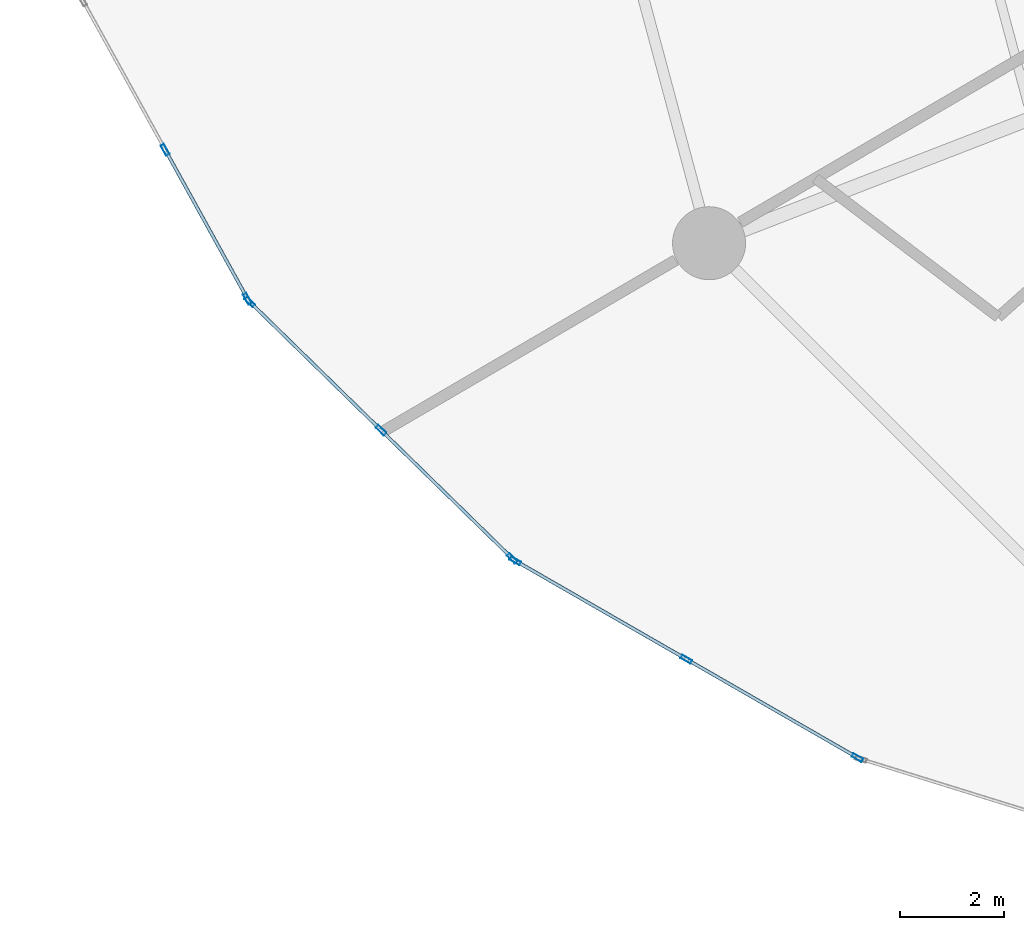
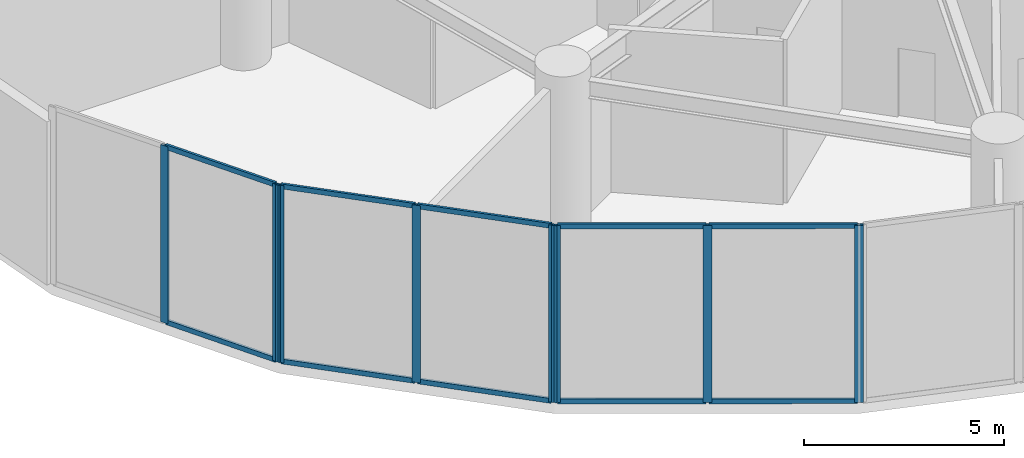
# One storey, part 4 of 29: 18 members, 3 elements without a shape of their own.
"""IFC4 building model written with IfcOpenShell, lengths in metres."""

from ifc_helpers import new_model, si_unit, direction, frame, origin, origin_2d, place, context, subcontext, project, spatial, hollow_rectangle, extrude, source, transform, mapped, material, layer, layer_set, material_profile, profile_set, type_object, element, aggregate, save


model = new_model("IFC4")

# Units and contexts
model_context = context("Model", 3, precision=1e-05, world=origin(), true_north=direction((0.0, 1.0)))
body_context = subcontext(model_context, "Body", "Model", "MODEL_VIEW")
ifc_project = project(units=[si_unit("LENGTHUNIT", "METRE"), si_unit("AREAUNIT", "SQUARE_METRE"), si_unit("VOLUMEUNIT", "CUBIC_METRE"), si_unit("PLANEANGLEUNIT", "RADIAN"), si_unit("MASSUNIT", "GRAM", prefix="KILO")], contexts=[model_context])

# Site, building, storey
site_placement = place(None, origin())
site = spatial("IfcSite", under=ifc_project, at=site_placement, CompositionType="ELEMENT")
building_placement = place(site_placement, origin())
building = spatial("IfcBuilding", under=site, at=building_placement, Name="Solvirekh Grand Hotel", CompositionType="ELEMENT")
storey_placement = place(building_placement, frame((0.0, 0.0, 7.199951171875)))
storey = spatial("IfcBuildingStorey", under=building, at=storey_placement, Name="L01", CompositionType="ELEMENT", Elevation=7.199951171875)

# Curtain wall, members
ifc_material = material(Name="Anodized Bronze Aluminium 6063-T6", Category="aluminium")
ifc_layer = layer(ifc_material, 0.219970703125)
ifc_layer_set = layer_set([ifc_layer], Name="Anodized Bronze Aluminium 6063-T6")
curtain_wall_type = type_object("IfcCurtainWallType", Name="CW_Sys1_PodiumBronzeUnitised", PredefinedType="NOTDEFINED", material=ifc_layer_set)
curtain_wall_1_placement = place(storey_placement, origin())
curtain_wall_1 = element("IfcCurtainWall", 1, at=curtain_wall_1_placement, inside=storey, type_object=curtain_wall_type, Name="L01 unitised bronze-glass curtain wall CW-L01-C14", PredefinedType="NOTDEFINED")
ifc_material_profile_1 = material_profile(ifc_material, hollow_rectangle(XDim=0.074951171875, YDim=0.219970703125, WallThickness=0.006103515625, at=origin_2d()), Name="ALU RHS 220X75X6")
ifc_profile_set_1 = profile_set([ifc_material_profile_1], Name="Anodized Bronze Aluminium 6063-T6")
member_type_1 = type_object("IfcMemberType", Name="CWMullion_Sys1", PredefinedType="MULLION", material=ifc_profile_set_1)
shared_shape_1 = source(origin(), body_context, "Body", "SweptSolid", [
    extrude(hollow_rectangle(XDim=0.074951171875, YDim=0.219970703125, WallThickness=0.006103515625, at=origin_2d()), origin(), (0.0, 0.0, 1.0), 5.400146484375),
])
member_1_placement = place(storey_placement, frame((-29.3115234375, -9.10595703125, 0.0), z_axis=(0.0, 0.0, 1.0), x_axis=(0.875345975229, 0.48349707719, 0.0)))
member_1 = element("IfcMember", 2, at=member_1_placement, type_object=member_type_1, Name="U01 mullion 2", PredefinedType="MULLION", context=body_context, shape_type="MappedRepresentation", body=[
    mapped(shared_shape_1, transform((0.0, 0.0, 0.0), x_axis=(1.0, 0.0, 0.0), y_axis=(0.0, 1.0, 0.0), z_axis=(0.0, 0.0, 1.0), scale=1.0)),
])
member_2_placement = place(storey_placement, frame((-27.731201171875, -11.96728515625, 0.0), z_axis=(0.0, 0.0, 1.0), x_axis=(0.875345975229, 0.48349707719, 0.0)))
member_2 = element("IfcMember", 3, at=member_2_placement, type_object=member_type_1, Name="U01 mullion 3", PredefinedType="MULLION", context=body_context, shape_type="MappedRepresentation", body=[
    mapped(shared_shape_1, transform((0.0, 0.0, 0.0), x_axis=(1.0, 0.0, 0.0), y_axis=(0.0, 1.0, 0.0), z_axis=(0.0, 0.0, 1.0), scale=1.0)),
])

curtain_wall_2_placement = place(storey_placement, origin())
curtain_wall_2 = element("IfcCurtainWall", 4, at=curtain_wall_2_placement, inside=storey, type_object=curtain_wall_type, Name="L01 unitised bronze-glass curtain wall CW-L01-C15", PredefinedType="NOTDEFINED")
member_3_placement = place(storey_placement, frame((-27.686279296875, -12.026123046875, 0.0), z_axis=(0.0, 0.0, 1.0), x_axis=(0.698975445529, 0.715145668062, 0.0)))
member_3 = element("IfcMember", 5, at=member_3_placement, type_object=member_type_1, Name="U01 mullion 1", PredefinedType="MULLION", context=body_context, shape_type="MappedRepresentation", body=[
    mapped(shared_shape_1, transform((0.0, 0.0, 0.0), x_axis=(1.0, 0.0, 0.0), y_axis=(0.0, 1.0, 0.0), z_axis=(0.0, 0.0, 1.0), scale=1.0)),
])
member_4_placement = place(storey_placement, frame((-25.169921875, -14.485595703125, 0.0), z_axis=(0.0, 0.0, 1.0), x_axis=(0.698975445529, 0.715145668062, 0.0)))
member_4 = element("IfcMember", 6, at=member_4_placement, type_object=member_type_1, Name="U01 mullion 2", PredefinedType="MULLION", context=body_context, shape_type="MappedRepresentation", body=[
    mapped(shared_shape_1, transform((0.0, 0.0, 0.0), x_axis=(1.0, 0.0, 0.0), y_axis=(0.0, 1.0, 0.0), z_axis=(0.0, 0.0, 1.0), scale=1.0)),
])
member_5_placement = place(storey_placement, frame((-22.65380859375, -16.94482421875, 0.0), z_axis=(0.0, 0.0, 1.0), x_axis=(0.698975445529, 0.715145668062, 0.0)))
member_5 = element("IfcMember", 7, at=member_5_placement, type_object=member_type_1, Name="U01 mullion 3", PredefinedType="MULLION", context=body_context, shape_type="MappedRepresentation", body=[
    mapped(shared_shape_1, transform((0.0, 0.0, 0.0), x_axis=(1.0, 0.0, 0.0), y_axis=(0.0, 1.0, 0.0), z_axis=(0.0, 0.0, 1.0), scale=1.0)),
])

curtain_wall_3_placement = place(storey_placement, origin())
curtain_wall_3 = element("IfcCurtainWall", 8, at=curtain_wall_3_placement, inside=storey, type_object=curtain_wall_type, Name="L01 unitised bronze-glass curtain wall CW-L01-C16", PredefinedType="NOTDEFINED")
member_6_placement = place(storey_placement, frame((-22.594482421875, -16.98974609375, 0.0), z_axis=(0.0, 0.0, 1.0), x_axis=(0.498812636829, 0.8667098438, 0.0)))
member_6 = element("IfcMember", 9, at=member_6_placement, type_object=member_type_1, Name="U01 mullion 1", PredefinedType="MULLION", context=body_context, shape_type="MappedRepresentation", body=[
    mapped(shared_shape_1, transform((0.0, 0.0, 0.0), x_axis=(1.0, 0.0, 0.0), y_axis=(0.0, 1.0, 0.0), z_axis=(0.0, 0.0, 1.0), scale=1.0)),
])
member_7_placement = place(storey_placement, frame((-19.3134765625, -18.8779296875, 0.0), z_axis=(0.0, 0.0, 1.0), x_axis=(0.498812636829, 0.8667098438, 0.0)))
member_7 = element("IfcMember", 10, at=member_7_placement, type_object=member_type_1, Name="U01 mullion 2", PredefinedType="MULLION", context=body_context, shape_type="MappedRepresentation", body=[
    mapped(shared_shape_1, transform((0.0, 0.0, 0.0), x_axis=(1.0, 0.0, 0.0), y_axis=(0.0, 1.0, 0.0), z_axis=(0.0, 0.0, 1.0), scale=1.0)),
])
member_8_placement = place(storey_placement, frame((-16.032470703125, -20.766357421875, 0.0), z_axis=(0.0, 0.0, 1.0), x_axis=(0.498812636829, 0.8667098438, 0.0)))
member_8 = element("IfcMember", 11, at=member_8_placement, type_object=member_type_1, Name="U01 mullion 3", PredefinedType="MULLION", context=body_context, shape_type="MappedRepresentation", body=[
    mapped(shared_shape_1, transform((0.0, 0.0, 0.0), x_axis=(1.0, 0.0, 0.0), y_axis=(0.0, 1.0, 0.0), z_axis=(0.0, 0.0, 1.0), scale=1.0)),
])

# Member
ifc_material_profile_2 = material_profile(ifc_material, hollow_rectangle(XDim=0.06494140625, YDim=0.14990234375, WallThickness=0.0048828125, at=origin_2d()), Name="ALU RHS 150X65X5")
ifc_profile_set_2 = profile_set([ifc_material_profile_2], Name="Anodized Bronze Aluminium 6063-T6")
member_type_2 = type_object("IfcMemberType", Name="CWTransom_Sys1", PredefinedType="USERDEFINED", material=ifc_profile_set_2)
shared_shape_2 = source(origin(), body_context, "Body", "SweptSolid", [
    extrude(hollow_rectangle(XDim=0.06494140625, YDim=0.14990234375, WallThickness=0.0048828125, at=origin_2d()), origin(), (0.0, 0.0, 1.0), 3.193603515625),
])
member_9_placement = place(storey_placement, frame((-29.29345703125, -9.138916015625, 0.032470703125), z_axis=(0.483531992025, -0.875326689121, 0.0), x_axis=(0.875326689121, 0.483531992025, 0.0)))
member_9 = element("IfcMember", 12, at=member_9_placement, type_object=member_type_2, Name="U01 transom 2.1", ObjectType="TRANSOM", PredefinedType="USERDEFINED", context=body_context, shape_type="MappedRepresentation", body=[
    mapped(shared_shape_2, transform((0.0, 0.0, 0.0), x_axis=(1.0, 0.0, 0.0), y_axis=(0.0, 1.0, 0.0), z_axis=(0.0, 0.0, 1.0), scale=1.0)),
])

member_10_placement = place(storey_placement, frame((-29.29345703125, -9.138916015625, 5.367431640625), z_axis=(0.483531992025, -0.875326689121, 0.0), x_axis=(0.875326689121, 0.483531992025, 0.0)))
member_10 = element("IfcMember", 13, at=member_10_placement, type_object=member_type_2, Name="U01 transom 2.2", ObjectType="TRANSOM", PredefinedType="USERDEFINED", context=body_context, shape_type="MappedRepresentation", body=[
    mapped(shared_shape_2, transform((0.0, 0.0, 0.0), x_axis=(1.0, 0.0, 0.0), y_axis=(0.0, 1.0, 0.0), z_axis=(0.0, 0.0, 1.0), scale=1.0)),
])

aggregate(curtain_wall_1, [member_1, member_2, member_9, member_10])

shared_shape_3 = source(origin(), body_context, "Body", "SweptSolid", [
    extrude(hollow_rectangle(XDim=0.06494140625, YDim=0.14990234375, WallThickness=0.0048828125, at=origin_2d()), origin(), (0.0, 0.0, 1.0), 3.443359375),
])
member_11_placement = place(storey_placement, frame((-27.659423828125, -12.052490234375, 0.032470703125), z_axis=(0.715178342061, -0.698942014081, 0.0), x_axis=(0.698942014081, 0.715178342061, 0.0)))
member_11 = element("IfcMember", 14, at=member_11_placement, type_object=member_type_2, Name="U01 transom 1.1", ObjectType="TRANSOM", PredefinedType="USERDEFINED", context=body_context, shape_type="MappedRepresentation", body=[
    mapped(shared_shape_3, transform((0.0, 0.0, 0.0), x_axis=(1.0, 0.0, 0.0), y_axis=(0.0, 1.0, 0.0), z_axis=(0.0, 0.0, 1.0), scale=1.0)),
])

member_12_placement = place(storey_placement, frame((-27.659423828125, -12.052490234375, 5.367431640625), z_axis=(0.715178342061, -0.698942014081, 0.0), x_axis=(0.698942014081, 0.715178342061, 0.0)))
member_12 = element("IfcMember", 15, at=member_12_placement, type_object=member_type_2, Name="U01 transom 1.2", ObjectType="TRANSOM", PredefinedType="USERDEFINED", context=body_context, shape_type="MappedRepresentation", body=[
    mapped(shared_shape_3, transform((0.0, 0.0, 0.0), x_axis=(1.0, 0.0, 0.0), y_axis=(0.0, 1.0, 0.0), z_axis=(0.0, 0.0, 1.0), scale=1.0)),
])

shared_shape_4 = source(origin(), body_context, "Body", "SweptSolid", [
    extrude(hollow_rectangle(XDim=0.06494140625, YDim=0.14990234375, WallThickness=0.0048828125, at=origin_2d()), origin(), (0.0, 0.0, 1.0), 3.443115234375),
])
member_13_placement = place(storey_placement, frame((-25.14306640625, -14.51171875, 0.032470703125), z_axis=(0.715143702876, -0.698977456172, 0.0), x_axis=(0.698977456172, 0.715143702876, 0.0)))
member_13 = element("IfcMember", 16, at=member_13_placement, type_object=member_type_2, Name="U01 transom 2.1", ObjectType="TRANSOM", PredefinedType="USERDEFINED", context=body_context, shape_type="MappedRepresentation", body=[
    mapped(shared_shape_4, transform((0.0, 0.0, 0.0), x_axis=(1.0, 0.0, 0.0), y_axis=(0.0, 1.0, 0.0), z_axis=(0.0, 0.0, 1.0), scale=1.0)),
])

member_14_placement = place(storey_placement, frame((-25.14306640625, -14.51171875, 5.367431640625), z_axis=(0.715143702876, -0.698977456172, 0.0), x_axis=(0.698977456172, 0.715143702876, 0.0)))
member_14 = element("IfcMember", 17, at=member_14_placement, type_object=member_type_2, Name="U01 transom 2.2", ObjectType="TRANSOM", PredefinedType="USERDEFINED", context=body_context, shape_type="MappedRepresentation", body=[
    mapped(shared_shape_4, transform((0.0, 0.0, 0.0), x_axis=(1.0, 0.0, 0.0), y_axis=(0.0, 1.0, 0.0), z_axis=(0.0, 0.0, 1.0), scale=1.0)),
])

aggregate(curtain_wall_2, [member_3, member_4, member_5, member_11, member_12, member_13, member_14])

shared_shape_5 = source(origin(), body_context, "Body", "SweptSolid", [
    extrude(hollow_rectangle(XDim=0.06494140625, YDim=0.14990234375, WallThickness=0.0048828125, at=origin_2d()), origin(), (0.0, 0.0, 1.0), 3.710693359375),
])
member_15_placement = place(storey_placement, frame((-22.56201171875, -17.00830078125, 0.032470703125), z_axis=(0.866692279804, -0.498843153835, 0.0), x_axis=(0.498843153835, 0.866692279804, 0.0)))
member_15 = element("IfcMember", 18, at=member_15_placement, type_object=member_type_2, Name="U01 transom 1.1", ObjectType="TRANSOM", PredefinedType="USERDEFINED", context=body_context, shape_type="MappedRepresentation", body=[
    mapped(shared_shape_5, transform((0.0, 0.0, 0.0), x_axis=(1.0, 0.0, 0.0), y_axis=(0.0, 1.0, 0.0), z_axis=(0.0, 0.0, 1.0), scale=1.0)),
])

member_16_placement = place(storey_placement, frame((-22.56201171875, -17.00830078125, 5.367431640625), z_axis=(0.866692279804, -0.498843153835, 0.0), x_axis=(0.498843153835, 0.866692279804, 0.0)))
member_16 = element("IfcMember", 19, at=member_16_placement, type_object=member_type_2, Name="U01 transom 1.2", ObjectType="TRANSOM", PredefinedType="USERDEFINED", context=body_context, shape_type="MappedRepresentation", body=[
    mapped(shared_shape_5, transform((0.0, 0.0, 0.0), x_axis=(1.0, 0.0, 0.0), y_axis=(0.0, 1.0, 0.0), z_axis=(0.0, 0.0, 1.0), scale=1.0)),
])

member_17_placement = place(storey_placement, frame((-19.281005859375, -18.896728515625, 0.032470703125), z_axis=(0.866720724541, -0.498793730566, 0.0), x_axis=(0.498793730566, 0.866720724541, 0.0)))
member_17 = element("IfcMember", 20, at=member_17_placement, type_object=member_type_2, Name="U01 transom 2.1", ObjectType="TRANSOM", PredefinedType="USERDEFINED", context=body_context, shape_type="MappedRepresentation", body=[
    mapped(shared_shape_5, transform((0.0, 0.0, 0.0), x_axis=(1.0, 0.0, 0.0), y_axis=(0.0, 1.0, 0.0), z_axis=(0.0, 0.0, 1.0), scale=1.0)),
])

member_18_placement = place(storey_placement, frame((-19.281005859375, -18.896728515625, 5.367431640625), z_axis=(0.866720724541, -0.498793730566, 0.0), x_axis=(0.498793730566, 0.866720724541, 0.0)))
member_18 = element("IfcMember", 21, at=member_18_placement, type_object=member_type_2, Name="U01 transom 2.2", ObjectType="TRANSOM", PredefinedType="USERDEFINED", context=body_context, shape_type="MappedRepresentation", body=[
    mapped(shared_shape_5, transform((0.0, 0.0, 0.0), x_axis=(1.0, 0.0, 0.0), y_axis=(0.0, 1.0, 0.0), z_axis=(0.0, 0.0, 1.0), scale=1.0)),
])

aggregate(curtain_wall_3, [member_6, member_7, member_8, member_15, member_16, member_17, member_18])

save(model, "model.ifc")
